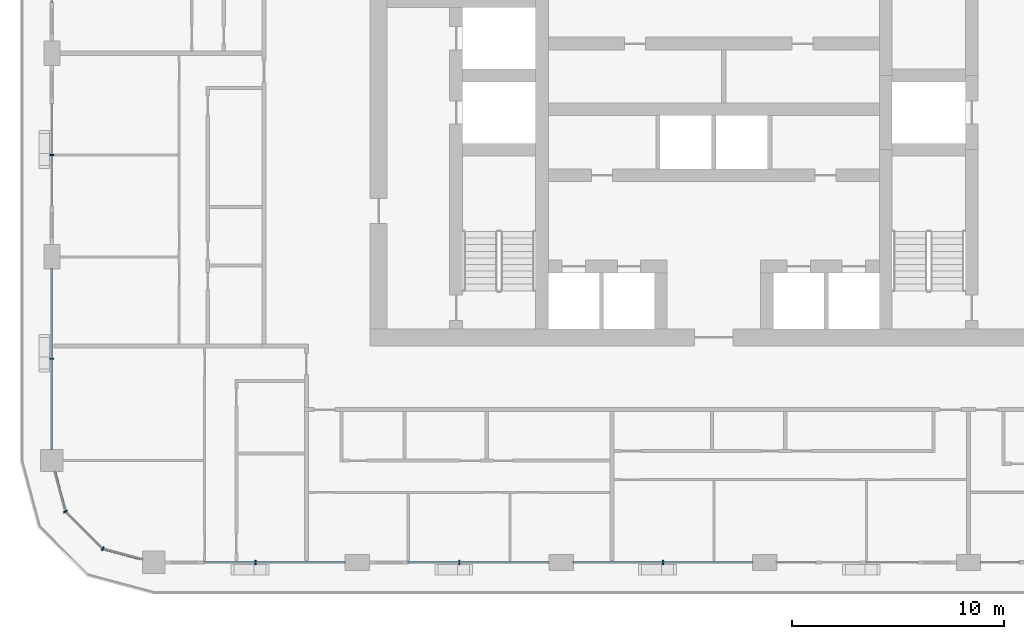
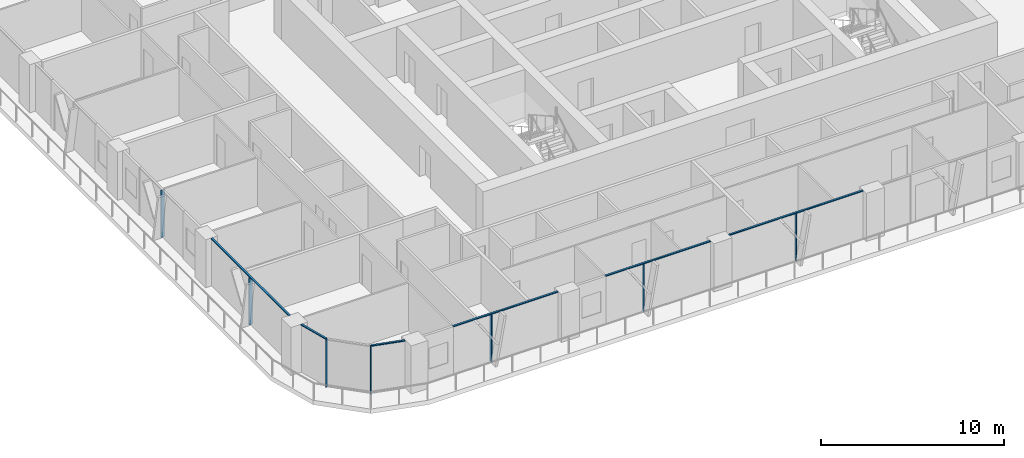
# One storey, part 2 of 22: 13 members, 6 elements without a shape of their own.
"""IFC4 building model written with IfcOpenShell, lengths in metres."""

from ifc_helpers import new_model, si_unit, direction, frame, origin, origin_2d, place, context, subcontext, project, spatial, rectangle, extrude, material, layer, layer_set, material_profile, profile_set, type_object, element, aggregate, save


model = new_model("IFC4")

# Units and contexts
model_context = context("Model", 3, precision=1e-05, world=origin(), true_north=direction((0.0, 1.0)))
body_context = subcontext(model_context, "Body", "Model", "MODEL_VIEW")
ifc_project = project(units=[si_unit("LENGTHUNIT", "METRE"), si_unit("AREAUNIT", "SQUARE_METRE"), si_unit("VOLUMEUNIT", "CUBIC_METRE"), si_unit("PLANEANGLEUNIT", "RADIAN"), si_unit("MASSUNIT", "GRAM", prefix="KILO")], contexts=[model_context])

# Site, building, storey
site_placement = place(None, origin())
site = spatial("IfcSite", under=ifc_project, at=site_placement, CompositionType="ELEMENT")
building_placement = place(site_placement, origin())
building = spatial("IfcBuilding", under=site, at=building_placement, Name="Madar Terraces", CompositionType="ELEMENT")
storey_placement = place(building_placement, frame((0.0, 0.0, 119.10009765625)))
storey = spatial("IfcBuildingStorey", under=building, at=storey_placement, Name="L30", CompositionType="ELEMENT", Elevation=119.10009765625)

# Curtain wall, member
ifc_material_1 = material(Name="Glass, ceramic frit dark grey, with black aluminium frame", Category="aluminium")
ifc_layer = layer(ifc_material_1, 0.199951171875)
ifc_layer_set = layer_set([ifc_layer], Name="Facade curtain wall, fritted glass")
curtain_wall_type = type_object("IfcCurtainWallType", Name="Facade curtain wall, fritted glass", PredefinedType="NOTDEFINED", material=ifc_layer_set)
curtain_wall_1_placement = place(storey_placement, origin())
curtain_wall_1 = element("IfcCurtainWall", 1, at=curtain_wall_1_placement, inside=storey, type_object=curtain_wall_type, Name="Outer skin curtain wall south bay 1", PredefinedType="NOTDEFINED")
ifc_material_2 = material(Name="Aluminium, black anodised", Category="aluminium")
ifc_material_profile_1 = material_profile(ifc_material_2, rectangle(XDim=0.199951171875, YDim=0.06005859375, at=origin_2d()), Name="Facade mullion 60x200")
ifc_profile_set_1 = profile_set([ifc_material_profile_1], Name="Aluminium, black anodised")
member_type_1 = type_object("IfcMemberType", Name="Facade mullion 60x200", PredefinedType="MULLION", material=ifc_profile_set_1)
member_1_placement = place(storey_placement, frame((9.60009765625, 4.800048828125, 0.0), z_axis=(0.0, 0.0, 1.0), x_axis=(0.0, 1.0, 0.0)))
member_1 = element("IfcMember", 2, at=member_1_placement, type_object=member_type_1, Name="Mullion 1", PredefinedType="MULLION", context=body_context, shape_type="SweptSolid", body=[
    extrude(rectangle(XDim=0.199951171875, YDim=0.06005859375, at=origin_2d()), origin(), (0.0, 0.0, 1.0), 3.139892578125),
])

curtain_wall_2_placement = place(storey_placement, origin())
curtain_wall_2 = element("IfcCurtainWall", 3, at=curtain_wall_2_placement, inside=storey, type_object=curtain_wall_type, Name="Outer skin curtain wall south bay 2", PredefinedType="NOTDEFINED")
member_2_placement = place(storey_placement, frame((19.199951171875, 4.800048828125, 0.0), z_axis=(0.0, 0.0, 1.0), x_axis=(0.0, 1.0, 0.0)))
member_2 = element("IfcMember", 4, at=member_2_placement, type_object=member_type_1, Name="Mullion 1", PredefinedType="MULLION", context=body_context, shape_type="SweptSolid", body=[
    extrude(rectangle(XDim=0.199951171875, YDim=0.06005859375, at=origin_2d()), origin(), (0.0, 0.0, 1.0), 3.139892578125),
])

curtain_wall_3_placement = place(storey_placement, origin())
curtain_wall_3 = element("IfcCurtainWall", 5, at=curtain_wall_3_placement, inside=storey, type_object=curtain_wall_type, Name="Outer skin curtain wall south bay 3", PredefinedType="NOTDEFINED")
member_3_placement = place(storey_placement, frame((28.800048828125, 4.800048828125, 0.0), z_axis=(0.0, 0.0, 1.0), x_axis=(0.0, 1.0, 0.0)))
member_3 = element("IfcMember", 6, at=member_3_placement, type_object=member_type_1, Name="Mullion 1", PredefinedType="MULLION", context=body_context, shape_type="SweptSolid", body=[
    extrude(rectangle(XDim=0.199951171875, YDim=0.06005859375, at=origin_2d()), origin(), (0.0, 0.0, 1.0), 3.139892578125),
])

curtain_wall_4_placement = place(storey_placement, origin())
curtain_wall_4 = element("IfcCurtainWall", 7, at=curtain_wall_4_placement, inside=storey, type_object=curtain_wall_type, Name="Outer skin curtain wall west bay 3", PredefinedType="NOTDEFINED")
member_4_placement = place(storey_placement, frame((0.0, 24.0, 0.0), z_axis=(0.0, 0.0, 1.0), x_axis=(1.0, 0.0, 0.0)))
member_4 = element("IfcMember", 8, at=member_4_placement, type_object=member_type_1, Name="Mullion 1", PredefinedType="MULLION", context=body_context, shape_type="SweptSolid", body=[
    extrude(rectangle(XDim=0.199951171875, YDim=0.06005859375, at=origin_2d()), origin(), (0.0, 0.0, 1.0), 3.139892578125),
])
aggregate(curtain_wall_4, [member_4])

curtain_wall_5_placement = place(storey_placement, origin())
curtain_wall_5 = element("IfcCurtainWall", 9, at=curtain_wall_5_placement, inside=storey, type_object=curtain_wall_type, Name="Outer skin curtain wall west bay 4", PredefinedType="NOTDEFINED")
member_5_placement = place(storey_placement, frame((0.0, 14.39990234375, 0.0), z_axis=(0.0, 0.0, 1.0), x_axis=(1.0, 0.0, 0.0)))
member_5 = element("IfcMember", 10, at=member_5_placement, type_object=member_type_1, Name="Mullion 1", PredefinedType="MULLION", context=body_context, shape_type="SweptSolid", body=[
    extrude(rectangle(XDim=0.199951171875, YDim=0.06005859375, at=origin_2d()), origin(), (0.0, 0.0, 1.0), 3.139892578125),
])

# Curtain wall, members
curtain_wall_6_placement = place(storey_placement, origin())
curtain_wall_6 = element("IfcCurtainWall", 11, at=curtain_wall_6_placement, inside=storey, type_object=curtain_wall_type, Name="Outer skin curtain wall south-west corner", PredefinedType="NOTDEFINED")
member_6_placement = place(storey_placement, frame((0.64306640625, 7.199951171875, 0.0), z_axis=(0.0, 0.0, 1.0), x_axis=(0.866025409797, 0.499999989586, 0.0)))
member_6 = element("IfcMember", 12, at=member_6_placement, type_object=member_type_1, Name="Mullion 1", PredefinedType="MULLION", context=body_context, shape_type="SweptSolid", body=[
    extrude(rectangle(XDim=0.199951171875, YDim=0.06005859375, at=origin_2d()), origin(), (0.0, 0.0, 1.0), 3.139892578125),
])
member_7_placement = place(storey_placement, frame((2.39990234375, 5.443115234375, 0.0), z_axis=(0.0, 0.0, 1.0), x_axis=(0.499999989586, 0.866025409797, 0.0)))
member_7 = element("IfcMember", 13, at=member_7_placement, type_object=member_type_1, Name="Mullion 2", PredefinedType="MULLION", context=body_context, shape_type="SweptSolid", body=[
    extrude(rectangle(XDim=0.199951171875, YDim=0.06005859375, at=origin_2d()), origin(), (0.0, 0.0, 1.0), 3.139892578125),
])

# Member
ifc_material_3 = material(Name="Aluminium, black anodised", Category="aluminium")
ifc_material_profile_2 = material_profile(ifc_material_3, rectangle(XDim=0.1201171875, YDim=0.06005859375, at=origin_2d()), Name="Facade transom 60x120")
ifc_profile_set_2 = profile_set([ifc_material_profile_2], Name="Aluminium, black anodised")
member_type_2 = type_object("IfcMemberType", Name="Facade transom 60x120", PredefinedType="USERDEFINED", material=ifc_profile_set_2)
member_8_placement = place(storey_placement, frame((7.199951171875, 4.800048828125, 3.169921875), z_axis=(1.0, 0.0, 0.0), x_axis=(0.0, 1.0, 0.0)))
member_8 = element("IfcMember", 14, at=member_8_placement, type_object=member_type_2, Name="Transom 1", ObjectType="TRANSOM", PredefinedType="USERDEFINED", context=body_context, shape_type="SweptSolid", body=[
    extrude(rectangle(XDim=0.1201171875, YDim=0.06005859375, at=origin_2d()), origin(), (0.0, 0.0, 1.0), 6.625),
])

aggregate(curtain_wall_1, [member_1, member_8])

member_9_placement = place(storey_placement, frame((16.800048828125, 4.800048828125, 3.169921875), z_axis=(1.0, 0.0, 0.0), x_axis=(0.0, 1.0, 0.0)))
member_9 = element("IfcMember", 15, at=member_9_placement, type_object=member_type_2, Name="Transom 1", ObjectType="TRANSOM", PredefinedType="USERDEFINED", context=body_context, shape_type="SweptSolid", body=[
    extrude(rectangle(XDim=0.1201171875, YDim=0.06005859375, at=origin_2d()), origin(), (0.0, 0.0, 1.0), 6.625),
])

aggregate(curtain_wall_2, [member_2, member_9])

member_10_placement = place(storey_placement, frame((24.574951171875, 4.800048828125, 3.169921875), z_axis=(1.0, 0.0, 0.0), x_axis=(0.0, 1.0, 0.0)))
member_10 = element("IfcMember", 16, at=member_10_placement, type_object=member_type_2, Name="Transom 1", ObjectType="TRANSOM", PredefinedType="USERDEFINED", context=body_context, shape_type="SweptSolid", body=[
    extrude(rectangle(XDim=0.1201171875, YDim=0.06005859375, at=origin_2d()), origin(), (0.0, 0.0, 1.0), 8.449951171875),
])

aggregate(curtain_wall_3, [member_3, member_10])

member_11_placement = place(storey_placement, frame((0.0, 18.625, 3.169921875), z_axis=(0.0, -1.0, 0.0), x_axis=(1.0, 0.0, 0.0)))
member_11 = element("IfcMember", 17, at=member_11_placement, type_object=member_type_2, Name="Transom 1", ObjectType="TRANSOM", PredefinedType="USERDEFINED", context=body_context, shape_type="SweptSolid", body=[
    extrude(rectangle(XDim=0.1201171875, YDim=0.06005859375, at=origin_2d()), origin(), (0.0, 0.0, 1.0), 8.5),
])

aggregate(curtain_wall_5, [member_5, member_11])

member_12_placement = place(storey_placement, frame((0.140625, 9.074951171875, 3.169921875), z_axis=(0.258823354654, -0.965924671538, 0.0), x_axis=(0.965924671538, 0.258823354654, 0.0)))
member_12 = element("IfcMember", 18, at=member_12_placement, type_object=member_type_2, Name="Transom 1", ObjectType="TRANSOM", PredefinedType="USERDEFINED", context=body_context, shape_type="SweptSolid", body=[
    extrude(rectangle(XDim=0.1201171875, YDim=0.06005859375, at=origin_2d()), origin(), (0.0, 0.0, 1.0), 1.9111328125),
])

member_13_placement = place(storey_placement, frame((2.428955078125, 5.435302734375, 3.169921875), z_axis=(0.965924671538, -0.258823354654, 0.0), x_axis=(0.258823354654, 0.965924671538, 0.0)))
member_13 = element("IfcMember", 19, at=member_13_placement, type_object=member_type_2, Name="Transom 3", ObjectType="TRANSOM", PredefinedType="USERDEFINED", context=body_context, shape_type="SweptSolid", body=[
    extrude(rectangle(XDim=0.1201171875, YDim=0.06005859375, at=origin_2d()), origin(), (0.0, 0.0, 1.0), 1.9111328125),
])

aggregate(curtain_wall_6, [member_6, member_12, member_7, member_13])

save(model, "model.ifc")
